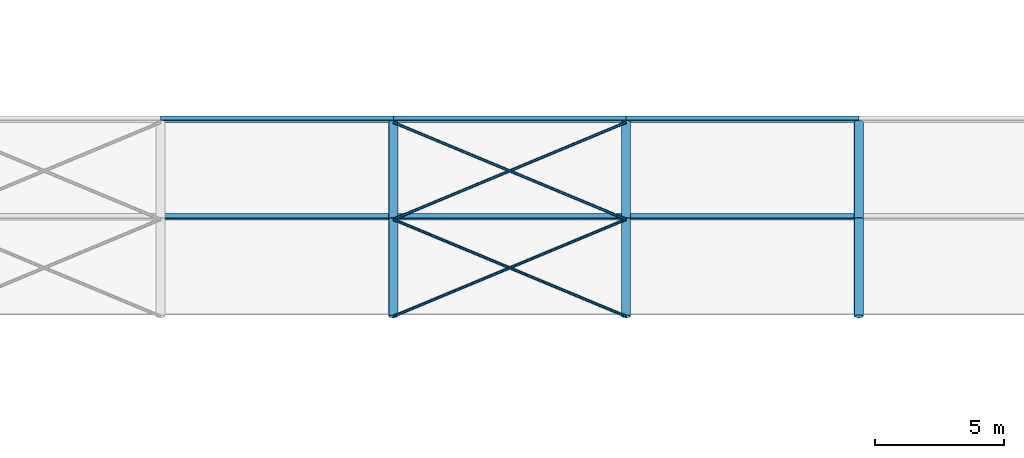
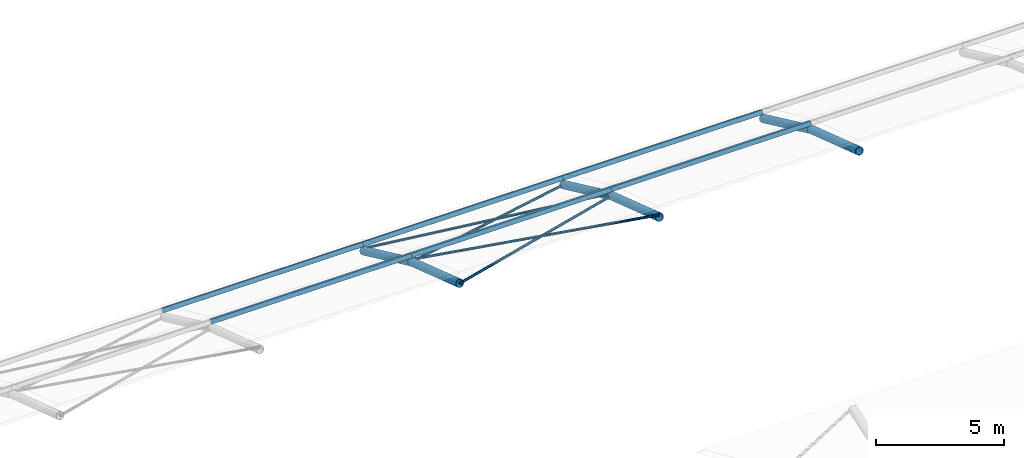
# One storey, part 8 of 54: 16 members.
"""IFC4 building model written with IfcOpenShell, lengths in metres."""

import ifcopenshell
import ifcopenshell.guid

model = None  # the IFC model being written
_history = None  # IfcOwnerHistory: only IFC2X3 demands one
_inside = {}  # id of a spatial element -> (the spatial element, [elements in it])
_under = {}  # id of a project, library or spatial element -> (it, [spatial elements below it])
_declared = {}  # id of a project -> (the project, [libraries it declares])
_typed = {}  # id of a type object -> (the type object, [elements of that type])
_made_of = {}  # id of a material, layer set ... -> (it, [elements and type objects made of it])


def new_model(schema):
    """Start an empty IFC model of exactly this schema.

    Asked for "IFC4X3", IfcOpenShell would pick the latest addendum, in which some entities
    have other attributes; the version numbers below select the first issue.
    IFC2X3 requires an IfcOwnerHistory on every rooted entity: one is made here for all.
    """
    global model, _history
    if schema == "IFC4X3":
        model = ifcopenshell.file(schema_version=(4, 3, 0, 0))
    else:
        model = ifcopenshell.file(schema=schema)
    _inside.clear()
    _under.clear()
    _declared.clear()
    _typed.clear()
    _made_of.clear()
    _history = None
    if model.schema == "IFC2X3":
        org = make("IfcOrganization", Name="unknown")
        user = make(
            "IfcPersonAndOrganization",
            ThePerson=make("IfcPerson", FamilyName="unknown"),
            TheOrganization=org,
        )
        app = make(
            "IfcApplication",
            ApplicationDeveloper=org,
            Version="unknown",
            ApplicationFullName="unknown",
            ApplicationIdentifier="unknown",
        )
        _history = make(
            "IfcOwnerHistory",
            OwningUser=user,
            OwningApplication=app,
            ChangeAction="ADDED",
            CreationDate=0,
        )
    return model


def make(cls, **values):
    """One entity of the class cls with the attributes given. An attribute that is None is left unset."""
    return model.create_entity(
        cls, **{name: value for name, value in values.items() if value is not None}
    )


def rooted(cls, **values):
    """An entity with a GlobalId (a new one), such as an element, a storey or a relation."""
    return make(cls, GlobalId=ifcopenshell.guid.new(), OwnerHistory=_history, **values)


def si_unit(unit_type, name, prefix=None):
    """IfcSIUnit, for example si_unit("LENGTHUNIT", "METRE", prefix="MILLI")."""
    return make("IfcSIUnit", UnitType=unit_type, Prefix=prefix, Name=name)


def assignment(units):
    """IfcUnitAssignment: the units of a project."""
    return None if units is None else make("IfcUnitAssignment", Units=units)


def point(xyz):
    """IfcCartesianPoint."""
    return None if xyz is None else make("IfcCartesianPoint", Coordinates=xyz)


def direction(xyz):
    """IfcDirection."""
    return None if xyz is None else make("IfcDirection", DirectionRatios=xyz)


def frame(location, z_axis=None, x_axis=None):
    """IfcAxis2Placement3D, a coordinate frame: its origin and axes. An axis left out is left unset."""
    return make(
        "IfcAxis2Placement3D",
        Location=point(location),
        Axis=direction(z_axis),
        RefDirection=direction(x_axis),
    )


def frame_2d(location, x_axis=None):
    """IfcAxis2Placement2D, a coordinate frame in the plane: its origin and x axis."""
    return make(
        "IfcAxis2Placement2D", Location=point(location), RefDirection=direction(x_axis)
    )


def origin():
    """The frame at (0, 0, 0) with its axes left unset."""
    return frame((0.0, 0.0, 0.0))


def origin_2d():
    """The frame at (0, 0) in the plane with its x axis left unset."""
    return frame_2d((0.0, 0.0))


def place(relative_to, where):
    """IfcLocalPlacement: puts the frame where relative to a parent placement (None: the world)."""
    return make(
        "IfcLocalPlacement", PlacementRelTo=relative_to, RelativePlacement=where
    )


def context(
    kind, dimensions, precision=None, world=None, true_north=None, identifier=None
):
    """IfcGeometricRepresentationContext, for example the 3D "Model" context."""
    return make(
        "IfcGeometricRepresentationContext",
        ContextIdentifier=identifier,
        ContextType=kind,
        CoordinateSpaceDimension=dimensions,
        Precision=precision,
        WorldCoordinateSystem=world,
        TrueNorth=true_north,
    )


def subcontext(parent, identifier, kind, view, scale=None):
    """IfcGeometricRepresentationSubContext, for example "Body" below "Model"."""
    return make(
        "IfcGeometricRepresentationSubContext",
        ContextIdentifier=identifier,
        ContextType=kind,
        ParentContext=parent,
        TargetScale=scale,
        TargetView=view,
    )


def project(units=None, contexts=None):
    """IfcProject with its units and contexts."""
    return rooted(
        "IfcProject",
        Name="project",
        RepresentationContexts=contexts,
        UnitsInContext=assignment(units),
    )


def spatial(cls, under=None, at=None, **own):
    """A site, building, storey or space (cls), placed at a placement, below another one or the project."""
    s = rooted(cls, ObjectPlacement=at, **own)
    if under is not None:
        _under.setdefault(under.id(), (under, []))[1].append(s)
    return s


def profile(cls, at=None, kind="AREA", **sizes):
    """A parametric profile (cls). Its sizes go by their IFC names, for example OverallWidth=200.0."""
    return make(cls, ProfileType=kind, Position=at, **sizes)


def hollow_rectangle(**sizes):
    """IfcRectangleHollowProfileDef."""
    return profile("IfcRectangleHollowProfileDef", **sizes)


def hollow_circle(**sizes):
    """IfcCircleHollowProfileDef."""
    return profile("IfcCircleHollowProfileDef", **sizes)


def extrude(swept, where, along, depth):
    """IfcExtrudedAreaSolid: the profile swept, set in the frame where, extruded along a direction by depth."""
    return make(
        "IfcExtrudedAreaSolid",
        SweptArea=swept,
        Position=where,
        ExtrudedDirection=direction(along),
        Depth=depth,
    )


def shape(context_of_items, identifier, shape_type, items):
    """IfcShapeRepresentation: the items that make up one representation, for example the "Body"."""
    return make(
        "IfcShapeRepresentation",
        ContextOfItems=context_of_items,
        RepresentationIdentifier=identifier,
        RepresentationType=shape_type,
        Items=items,
    )


def material(Name=None, Category=None):
    """IfcMaterial."""
    return make("IfcMaterial", Name=Name, Category=Category)


def material_profile(
    of_material, cross_section, Name=None, Category=None, Priority=None
):
    """IfcMaterialProfile: a cross section and its material."""
    return make(
        "IfcMaterialProfile",
        Name=Name,
        Material=of_material,
        Profile=cross_section,
        Priority=Priority,
        Category=Category,
    )


def profile_set(profiles, Name=None, composite=None):
    """IfcMaterialProfileSet."""
    return make(
        "IfcMaterialProfileSet",
        Name=Name,
        MaterialProfiles=profiles,
        CompositeProfile=composite,
    )


def made_of(thing, what):
    """Note that an element or type object is made of a material, layer set ...; save() writes the relation."""
    if what is not None:
        _made_of.setdefault(what.id(), (what, []))[1].append(thing)
    return thing


def type_object(cls, material=None, **own):
    """A type object (cls), such as IfcWallType, which elements share."""
    return made_of(rooted(cls, **own), material)


def element(
    cls,
    number,
    at=None,
    inside=None,
    cuts=None,
    type_object=None,
    material=None,
    context=None,
    identifier="Body",
    shape_type=None,
    held_by="IfcProductDefinitionShape",
    body=None,
    shapes=None,
    **own,
):
    """One element of the class cls, such as IfcWall. Its Tag is "e" and its number.

    at: its placement. inside: the storey or other place that contains it. cuts: it is an
    opening in that element (IfcRelVoidsElement). A single representation is given by context,
    identifier, shape_type and body (its items); several are given by shapes. held_by: the class
    of the entity that holds the representations. save() writes the other relations.
    """
    e = rooted(cls, Tag="e%d" % number, ObjectPlacement=at, **own)
    if body is not None:
        shapes = [shape(context, identifier, shape_type, body)]
    if shapes is not None:
        e.Representation = make(held_by, Representations=shapes)
    if inside is not None:
        _inside.setdefault(inside.id(), (inside, []))[1].append(e)
    if cuts is not None:
        rooted(
            "IfcRelVoidsElement", RelatingBuildingElement=cuts, RelatedOpeningElement=e
        )
    if type_object is not None:
        _typed.setdefault(type_object.id(), (type_object, []))[1].append(e)
    return made_of(e, material)


def aggregate(whole, parts):
    """IfcRelAggregates: a whole, such as a stair, and the parts it consists of."""
    return rooted("IfcRelAggregates", RelatingObject=whole, RelatedObjects=parts)


def save(model, path):
    """Write the relations noted so far, then the file.

    IfcRelAggregates (storeys below a building ...), IfcRelContainedInSpatialStructure (elements
    in a storey), IfcRelDefinesByType, IfcRelAssociatesMaterial and IfcRelDeclares: one each for
    every whole, place, type object, material and project.
    """
    for whole, parts in _under.values():
        aggregate(whole, parts)
    for where, things in _inside.values():
        rooted(
            "IfcRelContainedInSpatialStructure",
            RelatedElements=things,
            RelatingStructure=where,
        )
    for kind, things in _typed.values():
        rooted("IfcRelDefinesByType", RelatedObjects=things, RelatingType=kind)
    for what, things in _made_of.values():
        rooted("IfcRelAssociatesMaterial", RelatedObjects=things, RelatingMaterial=what)
    for by, libraries in _declared.values():
        rooted("IfcRelDeclares", RelatingContext=by, RelatedDefinitions=libraries)
    model.write(path)


model = new_model("IFC4")

# Units and contexts
model_context = context("Model", 3, precision=1e-05, world=origin(), true_north=direction((0.0, 1.0)))
body_context = subcontext(model_context, "Body", "Model", "MODEL_VIEW")
ifc_project = project(units=[si_unit("LENGTHUNIT", "METRE"), si_unit("AREAUNIT", "SQUARE_METRE"), si_unit("VOLUMEUNIT", "CUBIC_METRE"), si_unit("PLANEANGLEUNIT", "RADIAN"), si_unit("MASSUNIT", "GRAM", prefix="KILO")], contexts=[model_context])

# Site, building, storey
site_placement = place(None, origin())
site = spatial("IfcSite", under=ifc_project, at=site_placement, CompositionType="ELEMENT")
building_placement = place(site_placement, origin())
building = spatial("IfcBuilding", under=site, at=building_placement, Name="Baradari Gate Terminus", CompositionType="ELEMENT")
storey_placement = place(building_placement, frame((0.0, 0.0, 15.89990234375)))
storey = spatial("IfcBuildingStorey", under=building, at=storey_placement, Name="L03", CompositionType="ELEMENT", Elevation=15.89990234375)

# Members
ifc_material_1 = material(Name="Steel S355", Category="steel")
ifc_material_profile_1 = material_profile(ifc_material_1, hollow_rectangle(XDim=0.199951171875, YDim=0.199951171875, WallThickness=0.008056640625, InnerFilletRadius=0.008056640625, OuterFilletRadius=0.01611328125, at=origin_2d()), Name="SHS 200x200x8")
ifc_profile_set_1 = profile_set([ifc_material_profile_1], Name="Steel S355")
member_type_1 = type_object("IfcMemberType", Name="Shed purlin SHS 200x200x8", PredefinedType="PURLIN", material=ifc_profile_set_1)
for number, where, z_axis, x_axis, name in (
    (1, (108.0, 69.848388671875, 2.93359375), (1.0, 0.0, 0.0), (0.0, 0.928965199535, -0.370167067759), "TR/L03/B117-PU09"),
    (2, (108.0, 73.624755859375, 1.17138671875), (1.0, 0.0, 0.0), (0.0, 0.883026855482, -0.469322461106), "TR/L03/B117-PU10"),
    (3, (117.0, 69.848388671875, 2.93359375), (1.0, 0.0, 0.0), (0.0, 0.928965199535, -0.370167067759), "TR/L03/B126-PU09"),
    (4, (117.0, 73.624755859375, 1.17138671875), (1.0, 0.0, 0.0), (0.0, 0.883026855482, -0.469322461106), "TR/L03/B126-PU10"),
    (5, (126.0, 69.848388671875, 2.93359375), (1.0, 0.0, 0.0), (0.0, 0.928965199535, -0.370167067759), "TR/L03/B135-PU09"),
    (6, (126.0, 73.624755859375, 1.17138671875), (1.0, 0.0, 0.0), (0.0, 0.883026855482, -0.469322461106), "TR/L03/B135-PU10"),
):
    element("IfcMember", number, at=place(storey_placement, frame(where, z_axis=z_axis, x_axis=x_axis)), inside=storey, type_object=member_type_1, Name=name, PredefinedType="PURLIN", context=body_context, shape_type="SweptSolid", body=[
        extrude(hollow_rectangle(XDim=0.199951171875, YDim=0.199951171875, WallThickness=0.008056640625, InnerFilletRadius=0.008056640625, OuterFilletRadius=0.01611328125, at=origin_2d()), origin(), (0.0, 0.0, 1.0), 9.0),
    ])
ifc_material_2 = material(Name="Steel S355", Category="steel")
ifc_material_profile_2 = material_profile(ifc_material_2, hollow_circle(Radius=0.05712890625, WallThickness=0.00634765625, at=origin_2d()), Name="CHS 114.3x6.3")
ifc_profile_set_2 = profile_set([ifc_material_profile_2], Name="Steel S355")
member_type_2 = type_object("IfcMemberType", Name="Shed roof brace CHS 114.3x6.3", PredefinedType="BRACE", material=ifc_profile_set_2)
for number, where, z_axis, x_axis, name in (
    (7, (117.0, 66.0, 3.9365234375), (0.915583075095, 0.381492947956, -0.127164315985), (-0.384615384615, 0.923076923077, 0.0), "TR/L03/B126-RB08A"),
    (8, (126.0, 66.0, 4.05078125), (-0.915583075095, 0.381492947956, -0.127164315985), (-0.384615384615, -0.923076923077, 0.0), "TR/L03/B126-RB08B"),
):
    element("IfcMember", number, at=place(storey_placement, frame(where, z_axis=z_axis, x_axis=x_axis)), inside=storey, type_object=member_type_2, Name=name, PredefinedType="BRACE", context=body_context, shape_type="SweptSolid", body=[
        extrude(hollow_circle(Radius=0.05712890625, WallThickness=0.00634765625, at=origin_2d()), origin(), (0.0, 0.0, 1.0), 9.829833984375),
    ])
for number, where, z_axis, x_axis, name in (
    (9, (117.0, 69.75, 2.6865234375), (0.908558037225, 0.378565848844, -0.176664062794), (-0.384615384615, 0.923076923077, 0.0), "TR/L03/B126-RB09A"),
    (10, (126.0, 69.75, 2.80078125), (-0.908558037225, 0.378565848844, -0.176664062794), (-0.384615384615, -0.923076923077, 0.0), "TR/L03/B126-RB09B"),
):
    element("IfcMember", number, at=place(storey_placement, frame(where, z_axis=z_axis, x_axis=x_axis)), inside=storey, type_object=member_type_2, Name=name, PredefinedType="BRACE", context=body_context, shape_type="SweptSolid", body=[
        extrude(hollow_circle(Radius=0.05712890625, WallThickness=0.00634765625, at=origin_2d()), origin(), (0.0, 0.0, 1.0), 9.90576171875),
    ])
ifc_material_3 = material(Name="Steel S355", Category="steel")
ifc_material_profile_3 = material_profile(ifc_material_3, hollow_circle(Radius=0.177734375, WallThickness=0.01611328125, at=origin_2d()), Name="CHS 355.6x16")
ifc_profile_set_3 = profile_set([ifc_material_profile_3], Name="Steel S355")
member_type_3 = type_object("IfcMemberType", Name="Shed top chord CHS 355.6x16", PredefinedType="CHORD", material=ifc_profile_set_3)
member_1_placement = place(storey_placement, frame((117.0, 66.0, 3.9365234375), z_axis=(0.0, 0.948683298051, -0.316227766017), x_axis=(-1.0, 0.0, 0.0)))
element("IfcMember", 11, at=member_1_placement, inside=storey, type_object=member_type_3, Name="TR/L03/S117-TC08", PredefinedType="CHORD", context=body_context, shape_type="SweptSolid", body=[
    extrude(hollow_circle(Radius=0.177734375, WallThickness=0.01611328125, at=origin_2d()), origin(), (0.0, 0.0, 1.0), 3.952880859375),
])
member_2_placement = place(storey_placement, frame((117.0, 69.75, 2.6865234375), z_axis=(0.0, 0.906183139995, -0.422885465331), x_axis=(-1.0, 0.0, 0.0)))
element("IfcMember", 12, at=member_2_placement, inside=storey, type_object=member_type_3, Name="TR/L03/S117-TC09", PredefinedType="CHORD", context=body_context, shape_type="SweptSolid", body=[
    extrude(hollow_circle(Radius=0.177734375, WallThickness=0.01611328125, at=origin_2d()), origin(), (0.0, 0.0, 1.0), 4.13818359375),
])
member_3_placement = place(storey_placement, frame((126.0, 66.0, 3.9365234375), z_axis=(0.0, 0.948683298051, -0.316227766017), x_axis=(-1.0, 0.0, 0.0)))
element("IfcMember", 13, at=member_3_placement, inside=storey, type_object=member_type_3, Name="TR/L03/S126-TC08", PredefinedType="CHORD", context=body_context, shape_type="SweptSolid", body=[
    extrude(hollow_circle(Radius=0.177734375, WallThickness=0.01611328125, at=origin_2d()), origin(), (0.0, 0.0, 1.0), 3.952880859375),
])
member_4_placement = place(storey_placement, frame((126.0, 69.75, 2.6865234375), z_axis=(0.0, 0.906183139995, -0.422885465331), x_axis=(-1.0, 0.0, 0.0)))
element("IfcMember", 14, at=member_4_placement, inside=storey, type_object=member_type_3, Name="TR/L03/S126-TC09", PredefinedType="CHORD", context=body_context, shape_type="SweptSolid", body=[
    extrude(hollow_circle(Radius=0.177734375, WallThickness=0.01611328125, at=origin_2d()), origin(), (0.0, 0.0, 1.0), 4.13818359375),
])
member_5_placement = place(storey_placement, frame((135.0, 66.0, 3.9365234375), z_axis=(0.0, 0.948683298051, -0.316227766017), x_axis=(-1.0, 0.0, 0.0)))
element("IfcMember", 15, at=member_5_placement, inside=storey, type_object=member_type_3, Name="TR/L03/S135-TC08", PredefinedType="CHORD", context=body_context, shape_type="SweptSolid", body=[
    extrude(hollow_circle(Radius=0.177734375, WallThickness=0.01611328125, at=origin_2d()), origin(), (0.0, 0.0, 1.0), 3.952880859375),
])
member_6_placement = place(storey_placement, frame((135.0, 69.75, 2.6865234375), z_axis=(0.0, 0.906183139995, -0.422885465331), x_axis=(-1.0, 0.0, 0.0)))
element("IfcMember", 16, at=member_6_placement, inside=storey, type_object=member_type_3, Name="TR/L03/S135-TC09", PredefinedType="CHORD", context=body_context, shape_type="SweptSolid", body=[
    extrude(hollow_circle(Radius=0.177734375, WallThickness=0.01611328125, at=origin_2d()), origin(), (0.0, 0.0, 1.0), 4.13818359375),
])

save(model, "model.ifc")
